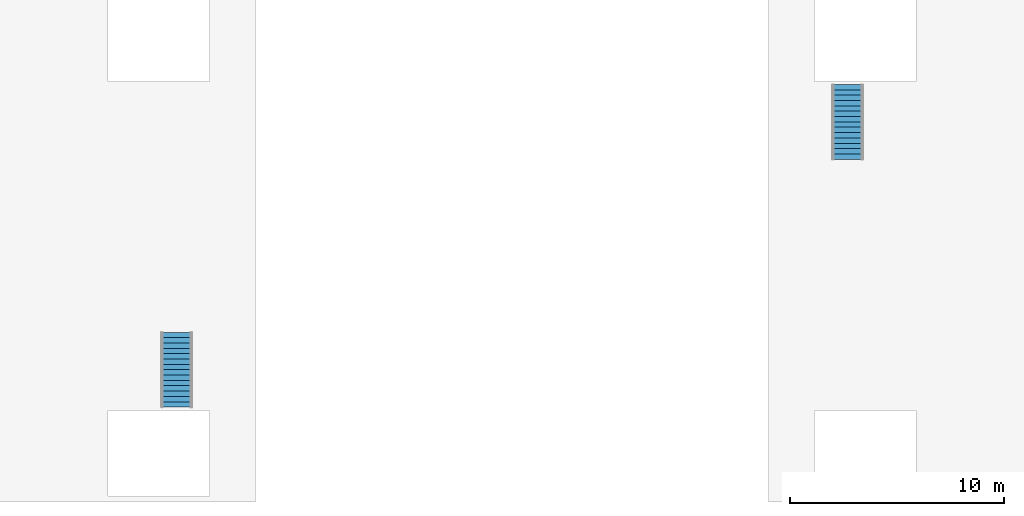
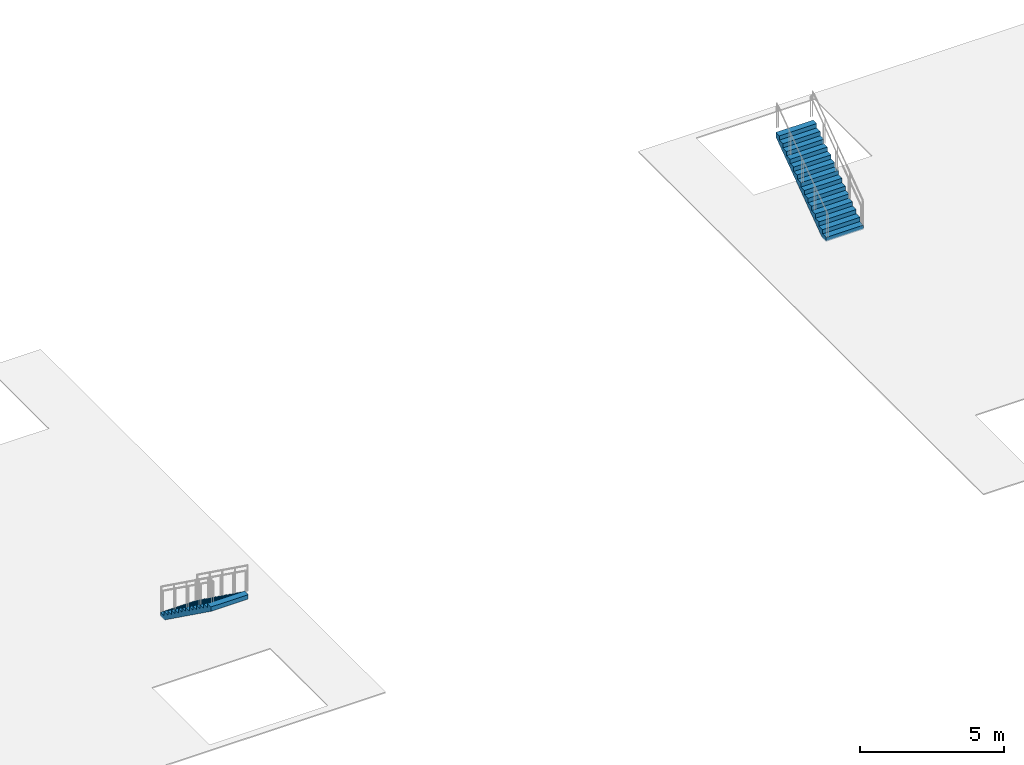
# One storey, part 1 of 2: 2 stair flights, 2 elements without a shape of their own.
"""IFC4 building model written with IfcOpenShell, lengths in metres."""

import ifcopenshell
import ifcopenshell.guid

model = None  # the IFC model being written
_history = None  # IfcOwnerHistory: only IFC2X3 demands one
_inside = {}  # id of a spatial element -> (the spatial element, [elements in it])
_under = {}  # id of a project, library or spatial element -> (it, [spatial elements below it])
_declared = {}  # id of a project -> (the project, [libraries it declares])
_typed = {}  # id of a type object -> (the type object, [elements of that type])
_made_of = {}  # id of a material, layer set ... -> (it, [elements and type objects made of it])


def new_model(schema):
    """Start an empty IFC model of exactly this schema.

    Asked for "IFC4X3", IfcOpenShell would pick the latest addendum, in which some entities
    have other attributes; the version numbers below select the first issue.
    IFC2X3 requires an IfcOwnerHistory on every rooted entity: one is made here for all.
    """
    global model, _history
    if schema == "IFC4X3":
        model = ifcopenshell.file(schema_version=(4, 3, 0, 0))
    else:
        model = ifcopenshell.file(schema=schema)
    _inside.clear()
    _under.clear()
    _declared.clear()
    _typed.clear()
    _made_of.clear()
    _history = None
    if model.schema == "IFC2X3":
        org = make("IfcOrganization", Name="unknown")
        user = make(
            "IfcPersonAndOrganization",
            ThePerson=make("IfcPerson", FamilyName="unknown"),
            TheOrganization=org,
        )
        app = make(
            "IfcApplication",
            ApplicationDeveloper=org,
            Version="unknown",
            ApplicationFullName="unknown",
            ApplicationIdentifier="unknown",
        )
        _history = make(
            "IfcOwnerHistory",
            OwningUser=user,
            OwningApplication=app,
            ChangeAction="ADDED",
            CreationDate=0,
        )
    return model


def make(cls, **values):
    """One entity of the class cls with the attributes given. An attribute that is None is left unset."""
    return model.create_entity(
        cls, **{name: value for name, value in values.items() if value is not None}
    )


def rooted(cls, **values):
    """An entity with a GlobalId (a new one), such as an element, a storey or a relation."""
    return make(cls, GlobalId=ifcopenshell.guid.new(), OwnerHistory=_history, **values)


def si_unit(unit_type, name, prefix=None):
    """IfcSIUnit, for example si_unit("LENGTHUNIT", "METRE", prefix="MILLI")."""
    return make("IfcSIUnit", UnitType=unit_type, Prefix=prefix, Name=name)


def assignment(units):
    """IfcUnitAssignment: the units of a project."""
    return None if units is None else make("IfcUnitAssignment", Units=units)


def point(xyz):
    """IfcCartesianPoint."""
    return None if xyz is None else make("IfcCartesianPoint", Coordinates=xyz)


def direction(xyz):
    """IfcDirection."""
    return None if xyz is None else make("IfcDirection", DirectionRatios=xyz)


def frame(location, z_axis=None, x_axis=None):
    """IfcAxis2Placement3D, a coordinate frame: its origin and axes. An axis left out is left unset."""
    return make(
        "IfcAxis2Placement3D",
        Location=point(location),
        Axis=direction(z_axis),
        RefDirection=direction(x_axis),
    )


def origin():
    """The frame at (0, 0, 0) with its axes left unset."""
    return frame((0.0, 0.0, 0.0))


def place(relative_to, where):
    """IfcLocalPlacement: puts the frame where relative to a parent placement (None: the world)."""
    return make(
        "IfcLocalPlacement", PlacementRelTo=relative_to, RelativePlacement=where
    )


def context(
    kind, dimensions, precision=None, world=None, true_north=None, identifier=None
):
    """IfcGeometricRepresentationContext, for example the 3D "Model" context."""
    return make(
        "IfcGeometricRepresentationContext",
        ContextIdentifier=identifier,
        ContextType=kind,
        CoordinateSpaceDimension=dimensions,
        Precision=precision,
        WorldCoordinateSystem=world,
        TrueNorth=true_north,
    )


def subcontext(parent, identifier, kind, view, scale=None):
    """IfcGeometricRepresentationSubContext, for example "Body" below "Model"."""
    return make(
        "IfcGeometricRepresentationSubContext",
        ContextIdentifier=identifier,
        ContextType=kind,
        ParentContext=parent,
        TargetScale=scale,
        TargetView=view,
    )


def project(units=None, contexts=None):
    """IfcProject with its units and contexts."""
    return rooted(
        "IfcProject",
        Name="project",
        RepresentationContexts=contexts,
        UnitsInContext=assignment(units),
    )


def spatial(cls, under=None, at=None, **own):
    """A site, building, storey or space (cls), placed at a placement, below another one or the project."""
    s = rooted(cls, ObjectPlacement=at, **own)
    if under is not None:
        _under.setdefault(under.id(), (under, []))[1].append(s)
    return s


def polyline(points):
    """IfcPolyline through the points."""
    return make("IfcPolyline", Points=[point(p) for p in points])


def outline(outer, holes=None, kind="AREA"):
    """IfcArbitraryClosedProfileDef: a profile drawn as a closed curve; with holes, ...WithVoids."""
    if holes is None:
        return make("IfcArbitraryClosedProfileDef", ProfileType=kind, OuterCurve=outer)
    return make(
        "IfcArbitraryProfileDefWithVoids",
        ProfileType=kind,
        OuterCurve=outer,
        InnerCurves=holes,
    )


def extrude(swept, where, along, depth):
    """IfcExtrudedAreaSolid: the profile swept, set in the frame where, extruded along a direction by depth."""
    return make(
        "IfcExtrudedAreaSolid",
        SweptArea=swept,
        Position=where,
        ExtrudedDirection=direction(along),
        Depth=depth,
    )


def shape(context_of_items, identifier, shape_type, items):
    """IfcShapeRepresentation: the items that make up one representation, for example the "Body"."""
    return make(
        "IfcShapeRepresentation",
        ContextOfItems=context_of_items,
        RepresentationIdentifier=identifier,
        RepresentationType=shape_type,
        Items=items,
    )


def material(Name=None, Category=None):
    """IfcMaterial."""
    return make("IfcMaterial", Name=Name, Category=Category)


def made_of(thing, what):
    """Note that an element or type object is made of a material, layer set ...; save() writes the relation."""
    if what is not None:
        _made_of.setdefault(what.id(), (what, []))[1].append(thing)
    return thing


def type_object(cls, material=None, **own):
    """A type object (cls), such as IfcWallType, which elements share."""
    return made_of(rooted(cls, **own), material)


def element(
    cls,
    number,
    at=None,
    inside=None,
    cuts=None,
    type_object=None,
    material=None,
    context=None,
    identifier="Body",
    shape_type=None,
    held_by="IfcProductDefinitionShape",
    body=None,
    shapes=None,
    **own,
):
    """One element of the class cls, such as IfcWall. Its Tag is "e" and its number.

    at: its placement. inside: the storey or other place that contains it. cuts: it is an
    opening in that element (IfcRelVoidsElement). A single representation is given by context,
    identifier, shape_type and body (its items); several are given by shapes. held_by: the class
    of the entity that holds the representations. save() writes the other relations.
    """
    e = rooted(cls, Tag="e%d" % number, ObjectPlacement=at, **own)
    if body is not None:
        shapes = [shape(context, identifier, shape_type, body)]
    if shapes is not None:
        e.Representation = make(held_by, Representations=shapes)
    if inside is not None:
        _inside.setdefault(inside.id(), (inside, []))[1].append(e)
    if cuts is not None:
        rooted(
            "IfcRelVoidsElement", RelatingBuildingElement=cuts, RelatedOpeningElement=e
        )
    if type_object is not None:
        _typed.setdefault(type_object.id(), (type_object, []))[1].append(e)
    return made_of(e, material)


def aggregate(whole, parts):
    """IfcRelAggregates: a whole, such as a stair, and the parts it consists of."""
    return rooted("IfcRelAggregates", RelatingObject=whole, RelatedObjects=parts)


def save(model, path):
    """Write the relations noted so far, then the file.

    IfcRelAggregates (storeys below a building ...), IfcRelContainedInSpatialStructure (elements
    in a storey), IfcRelDefinesByType, IfcRelAssociatesMaterial and IfcRelDeclares: one each for
    every whole, place, type object, material and project.
    """
    for whole, parts in _under.values():
        aggregate(whole, parts)
    for where, things in _inside.values():
        rooted(
            "IfcRelContainedInSpatialStructure",
            RelatedElements=things,
            RelatingStructure=where,
        )
    for kind, things in _typed.values():
        rooted("IfcRelDefinesByType", RelatedObjects=things, RelatingType=kind)
    for what, things in _made_of.values():
        rooted("IfcRelAssociatesMaterial", RelatedObjects=things, RelatingMaterial=what)
    for by, libraries in _declared.values():
        rooted("IfcRelDeclares", RelatingContext=by, RelatedDefinitions=libraries)
    model.write(path)


model = new_model("IFC4")

# Units and contexts
model_context = context("Model", 3, precision=1e-05, world=origin(), true_north=direction((0.0, 1.0)))
body_context = subcontext(model_context, "Body", "Model", "MODEL_VIEW")
ifc_project = project(units=[si_unit("LENGTHUNIT", "METRE"), si_unit("AREAUNIT", "SQUARE_METRE"), si_unit("VOLUMEUNIT", "CUBIC_METRE"), si_unit("PLANEANGLEUNIT", "RADIAN"), si_unit("MASSUNIT", "GRAM", prefix="KILO")], contexts=[model_context])

# Site, building, storey
site_placement = place(None, origin())
site = spatial("IfcSite", under=ifc_project, at=site_placement, CompositionType="ELEMENT")
building_placement = place(site_placement, origin())
building = spatial("IfcBuilding", under=site, at=building_placement, Name="Crosswind Convention Tower", CompositionType="ELEMENT")
storey_placement = place(building_placement, frame((0.0, 0.0, 358.300048828125)))
storey = spatial("IfcBuildingStorey", under=building, at=storey_placement, Name="ROOF", CompositionType="ELEMENT", Elevation=358.300048828125)

# Stair, stair flight
ifc_material = material(Name="Galvanised steel", Category="steel")
stair_type = type_object("IfcStairType", Name="Roof access stair 1500, 15 risers", PredefinedType="STRAIGHT_RUN_STAIR", material=ifc_material)
stair_1_placement = place(storey_placement, origin())
stair_1 = element("IfcStair", 1, at=stair_1_placement, inside=storey, type_object=stair_type, Name="Roof access stair RA1", ObjectType="ST13", PredefinedType="STRAIGHT_RUN_STAIR")
stair_flight_type = type_object("IfcStairFlightType", Name="Stair flight 1500 wide, 15 risers (SF7)", PredefinedType="STRAIGHT", material=ifc_material)
stair_flight_1_placement = place(storey_placement, frame((140.699951171875, 104.050048828125, 0.0), z_axis=(0.0, 0.0, 1.0), x_axis=(0.0, 1.0, 0.0)))
stair_flight_1 = element("IfcStairFlight", 2, at=stair_flight_1_placement, type_object=stair_flight_type, Name="RA1 flight 1", NumberOfRisers=15, NumberOfTreads=14, PredefinedType="STRAIGHT", RiserHeight=0.18, TreadLength=0.25, context=body_context, shape_type="SweptSolid", body=[
    extrude(outline(polyline([(0.0, 0.0), (0.0, 0.179931640625), (0.25, 0.179931640625), (0.25, 0.360107421875), (0.5, 0.360107421875), (0.5, 0.5400390625), (0.75, 0.5400390625), (0.75, 0.719970703125), (1.0, 0.719970703125), (1.0, 0.89990234375), (1.25, 0.89990234375), (1.25, 1.080078125), (1.5, 1.080078125), (1.5, 1.260009765625), (1.75, 1.260009765625), (1.75, 1.43994140625), (2.0, 1.43994140625), (2.0, 1.6201171875), (2.25, 1.6201171875), (2.25, 1.800048828125), (2.5, 1.800048828125), (2.5, 1.97998046875), (2.75, 1.97998046875), (2.75, 2.159912109375), (3.0, 2.159912109375), (3.0, 2.340087890625), (3.25, 2.340087890625), (3.25, 2.52001953125), (3.5, 2.52001953125), (3.5, 2.699951171875), (3.5, 2.335205078125), (0.256591796875, 0.0), (0.0, 0.0)])), frame((0.0, 0.75, 0.0), z_axis=(0.0, -1.0, 0.0), x_axis=(1.0, 0.0, 0.0)), (0.0, 0.0, 1.0), 1.5),
])
aggregate(stair_1, [stair_flight_1])

stair_2_placement = place(storey_placement, origin())
stair_2 = element("IfcStair", 3, at=stair_2_placement, inside=storey, type_object=stair_type, Name="Roof access stair RA2", ObjectType="ST13", PredefinedType="STRAIGHT_RUN_STAIR")
stair_flight_2_placement = place(storey_placement, frame((109.300048828125, 95.949951171875, 0.0), z_axis=(0.0, 0.0, 1.0), x_axis=(0.0, -1.0, 0.0)))
stair_flight_2 = element("IfcStairFlight", 4, at=stair_flight_2_placement, type_object=stair_flight_type, Name="RA2 flight 1", NumberOfRisers=15, NumberOfTreads=14, PredefinedType="STRAIGHT", RiserHeight=0.18, TreadLength=0.25, context=body_context, shape_type="SweptSolid", body=[
    extrude(outline(polyline([(0.0, 0.0), (0.0, 0.179931640625), (0.25, 0.179931640625), (0.25, 0.360107421875), (0.5, 0.360107421875), (0.5, 0.5400390625), (0.75, 0.5400390625), (0.75, 0.719970703125), (1.0, 0.719970703125), (1.0, 0.89990234375), (1.25, 0.89990234375), (1.25, 1.080078125), (1.5, 1.080078125), (1.5, 1.260009765625), (1.75, 1.260009765625), (1.75, 1.43994140625), (2.0, 1.43994140625), (2.0, 1.6201171875), (2.25, 1.6201171875), (2.25, 1.800048828125), (2.5, 1.800048828125), (2.5, 1.97998046875), (2.75, 1.97998046875), (2.75, 2.159912109375), (3.0, 2.159912109375), (3.0, 2.340087890625), (3.25, 2.340087890625), (3.25, 2.52001953125), (3.5, 2.52001953125), (3.5, 2.699951171875), (3.5, 2.335205078125), (0.256591796875, 0.0), (0.0, 0.0)])), frame((0.0, 0.75, 0.0), z_axis=(0.0, -1.0, 0.0), x_axis=(1.0, 0.0, 0.0)), (0.0, 0.0, 1.0), 1.5),
])
aggregate(stair_2, [stair_flight_2])

save(model, "model.ifc")
